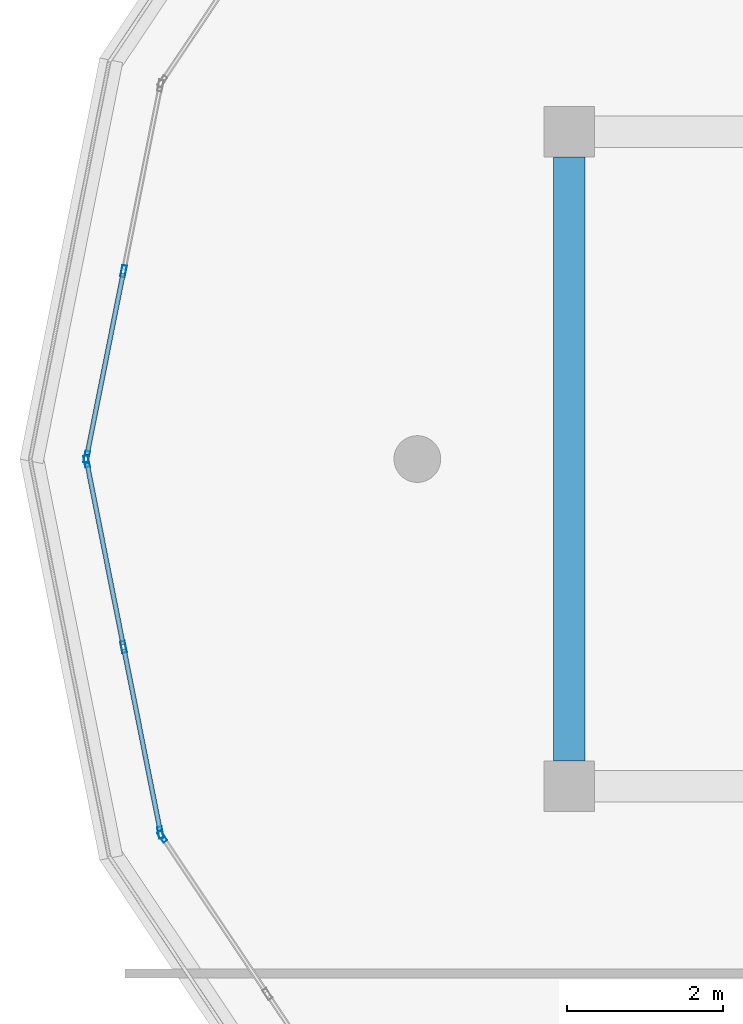
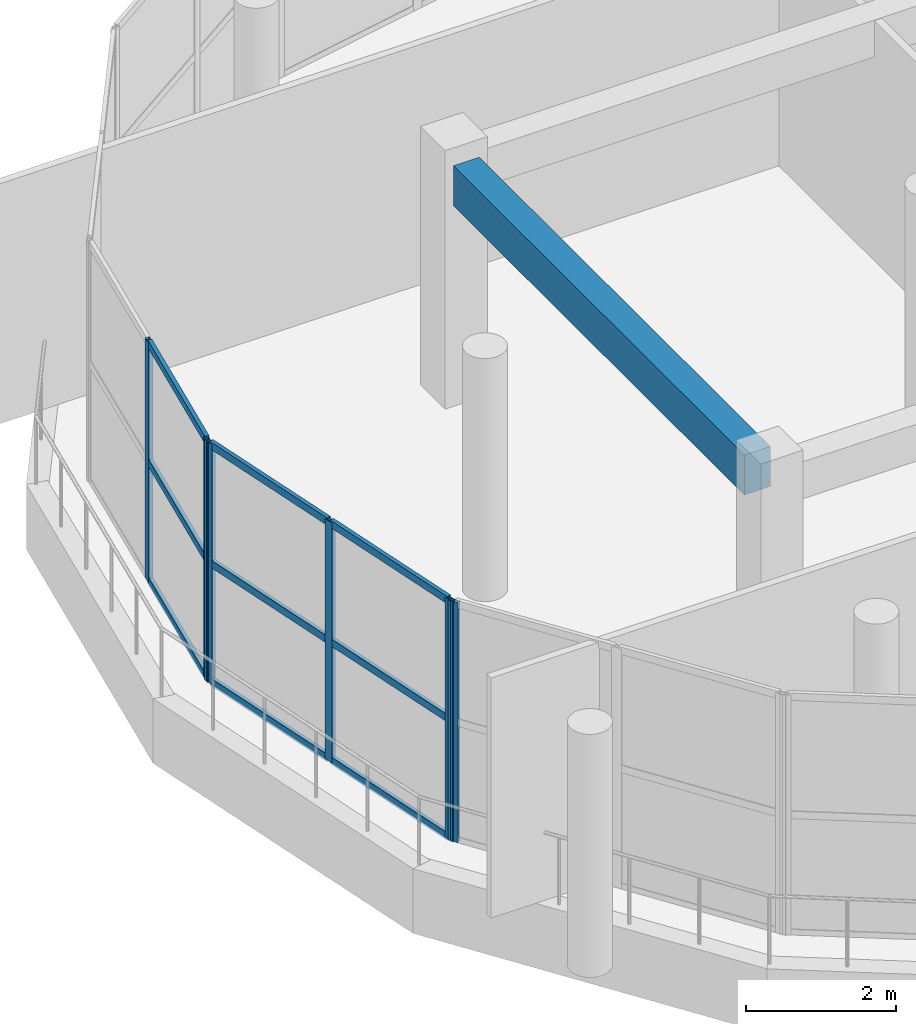
# One storey, part 4 of 57: 15 members, 1 beam, 3 elements without a shape of their own.
"""IFC4 building model written with IfcOpenShell, lengths in metres."""

from ifc_helpers import new_model, si_unit, direction, frame, origin, origin_2d, place, context, subcontext, project, spatial, rectangle, hollow_rectangle, extrude, material, layer, layer_set, material_profile, profile_set, type_object, element, aggregate, save


model = new_model("IFC4")

# Units and contexts
model_context = context("Model", 3, precision=1e-05, world=origin(), true_north=direction((0.0, 1.0)))
body_context = subcontext(model_context, "Body", "Model", "MODEL_VIEW")
ifc_project = project(units=[si_unit("LENGTHUNIT", "METRE"), si_unit("AREAUNIT", "SQUARE_METRE"), si_unit("VOLUMEUNIT", "CUBIC_METRE"), si_unit("PLANEANGLEUNIT", "RADIAN"), si_unit("MASSUNIT", "GRAM", prefix="KILO")], contexts=[model_context])

# Site, building, storey
site_placement = place(None, origin())
site = spatial("IfcSite", under=ifc_project, at=site_placement, CompositionType="ELEMENT")
building_placement = place(site_placement, origin())
building = spatial("IfcBuilding", under=site, at=building_placement, Name="Zizhar Promenade General Hospital", CompositionType="ELEMENT")
storey_placement = place(building_placement, frame((0.0, 0.0, 22.199951171875)))
storey = spatial("IfcBuildingStorey", under=building, at=storey_placement, Name="L05", CompositionType="ELEMENT", Elevation=22.199951171875)

# Beam
ifc_material_1 = material(Name="Concrete C35/45", Category="concrete")
ifc_material_profile_1 = material_profile(ifc_material_1, rectangle(XDim=0.39990234375, YDim=0.64990234375, at=origin_2d()))
ifc_profile_set_1 = profile_set([ifc_material_profile_1], Name="Concrete C35/45")
beam_type = type_object("IfcBeamType", Name="BM-RC-400x650", PredefinedType="BEAM", material=ifc_profile_set_1)
beam_placement = place(storey_placement, frame((23.39990234375, 8.72509765625, 3.5849609375), z_axis=(0.0, 1.0, 0.0), x_axis=(-1.0, 0.0, 0.0)))
element("IfcBeam", 1, at=beam_placement, inside=storey, type_object=beam_type, Name="Grid Beam Y L05 (3-1)", PredefinedType="BEAM", context=body_context, shape_type="SweptSolid", body=[
    extrude(rectangle(XDim=0.39990234375, YDim=0.64990234375, at=origin_2d()), origin(), (0.0, 0.0, 1.0), 7.75),
])

# Curtain wall, members
ifc_material_2 = material(Name="Anodised aluminium 6063-T6 and low-E glass", Category="aluminium")
ifc_layer = layer(ifc_material_2, 0.159912109375)
ifc_layer_set = layer_set([ifc_layer], Name="Anodised aluminium 6063-T6 and low-E glass")
curtain_wall_type = type_object("IfcCurtainWallType", Name="CW-WARD-ARC", PredefinedType="NOTDEFINED", material=ifc_layer_set)
curtain_wall_1_placement = place(storey_placement, origin())
curtain_wall_1 = element("IfcCurtainWall", 2, at=curtain_wall_1_placement, inside=storey, type_object=curtain_wall_type, Name="Ward Semicircular End Glazing L05-13", PredefinedType="NOTDEFINED")
ifc_material_3 = material(Name="Anodised aluminium 6063-T6", Category="aluminium")
ifc_material_profile_2 = material_profile(ifc_material_3, hollow_rectangle(XDim=0.06005859375, YDim=0.14990234375, WallThickness=0.00390625, at=origin_2d()))
ifc_profile_set_2 = profile_set([ifc_material_profile_2], Name="Anodised aluminium 6063-T6")
member_type_1 = type_object("IfcMemberType", Name="CWM-ALU-150x60", PredefinedType="MULLION", material=ifc_profile_set_2)
member_1_placement = place(storey_placement, frame((17.205810546875, 12.62939453125, 0.0), z_axis=(0.0, 0.0, 1.0), x_axis=(-0.980785889615, 0.195087259275, 0.0)))
member_1 = element("IfcMember", 3, at=member_1_placement, type_object=member_type_1, Name="CW-12 mullion 1", PredefinedType="MULLION", context=body_context, shape_type="SweptSolid", body=[
    extrude(hollow_rectangle(XDim=0.06005859375, YDim=0.14990234375, WallThickness=0.00390625, at=origin_2d()), origin(), (0.0, 0.0, 1.0), 3.900146484375),
])
member_2_placement = place(storey_placement, frame((17.679443359375, 15.010986328125, 0.0), z_axis=(0.0, 0.0, 1.0), x_axis=(-0.980785889615, 0.195087259275, 0.0)))
member_2 = element("IfcMember", 4, at=member_2_placement, type_object=member_type_1, Name="CW-12 mullion 2", PredefinedType="MULLION", context=body_context, shape_type="SweptSolid", body=[
    extrude(hollow_rectangle(XDim=0.06005859375, YDim=0.14990234375, WallThickness=0.00390625, at=origin_2d()), origin(), (0.0, 0.0, 1.0), 3.900146484375),
])

curtain_wall_2_placement = place(storey_placement, origin())
curtain_wall_2 = element("IfcCurtainWall", 5, at=curtain_wall_2_placement, inside=storey, type_object=curtain_wall_type, Name="Ward Semicircular End Glazing L05-14", PredefinedType="NOTDEFINED")
member_3_placement = place(storey_placement, frame((18.1533203125, 7.8076171875, 0.0), z_axis=(0.0, 0.0, 1.0), x_axis=(-0.980785889615, -0.195087259275, 0.0)))
member_3 = element("IfcMember", 6, at=member_3_placement, type_object=member_type_1, Name="CW-12 mullion 1", PredefinedType="MULLION", context=body_context, shape_type="SweptSolid", body=[
    extrude(hollow_rectangle(XDim=0.06005859375, YDim=0.14990234375, WallThickness=0.00390625, at=origin_2d()), origin(), (0.0, 0.0, 1.0), 3.900146484375),
])
member_4_placement = place(storey_placement, frame((17.679443359375, 10.189208984375, 0.0), z_axis=(0.0, 0.0, 1.0), x_axis=(-0.980785889615, -0.195087259275, 0.0)))
member_4 = element("IfcMember", 7, at=member_4_placement, type_object=member_type_1, Name="CW-12 mullion 2", PredefinedType="MULLION", context=body_context, shape_type="SweptSolid", body=[
    extrude(hollow_rectangle(XDim=0.06005859375, YDim=0.14990234375, WallThickness=0.00390625, at=origin_2d()), origin(), (0.0, 0.0, 1.0), 3.900146484375),
])
member_5_placement = place(storey_placement, frame((17.205810546875, 12.570556640625, 0.0), z_axis=(0.0, 0.0, 1.0), x_axis=(-0.980785889615, -0.195087259275, 0.0)))
member_5 = element("IfcMember", 8, at=member_5_placement, type_object=member_type_1, Name="CW-12 mullion 3", PredefinedType="MULLION", context=body_context, shape_type="SweptSolid", body=[
    extrude(hollow_rectangle(XDim=0.06005859375, YDim=0.14990234375, WallThickness=0.00390625, at=origin_2d()), origin(), (0.0, 0.0, 1.0), 3.900146484375),
])

# Curtain wall, member
curtain_wall_3_placement = place(storey_placement, origin())
curtain_wall_3 = element("IfcCurtainWall", 9, at=curtain_wall_3_placement, inside=storey, type_object=curtain_wall_type, Name="Ward Semicircular End Glazing L05-15", PredefinedType="NOTDEFINED")
member_6_placement = place(storey_placement, frame((18.17578125, 7.753173828125, 0.0), z_axis=(0.0, 0.0, 1.0), x_axis=(-0.831461514468, -0.555582352095, 0.0)))
member_6 = element("IfcMember", 10, at=member_6_placement, type_object=member_type_1, Name="CW-12 mullion 3", PredefinedType="MULLION", context=body_context, shape_type="SweptSolid", body=[
    extrude(hollow_rectangle(XDim=0.06005859375, YDim=0.14990234375, WallThickness=0.00390625, at=origin_2d()), origin(), (0.0, 0.0, 1.0), 3.900146484375),
])
aggregate(curtain_wall_3, [member_6])

# Member
ifc_material_4 = material(Name="Anodised aluminium 6063-T6", Category="aluminium")
ifc_material_profile_3 = material_profile(ifc_material_4, hollow_rectangle(XDim=0.06005859375, YDim=0.1201171875, WallThickness=0.00390625, at=origin_2d()))
ifc_profile_set_3 = profile_set([ifc_material_profile_3], Name="Anodised aluminium 6063-T6")
member_type_2 = type_object("IfcMemberType", Name="CWT-ALU-120x60", PredefinedType="USERDEFINED", material=ifc_profile_set_3)
member_7_placement = place(storey_placement, frame((17.211669921875, 12.658935546875, 0.030029296875), z_axis=(0.195065195628, 0.980790278018, 0.0), x_axis=(-0.980790278018, 0.195065195628, 0.0)))
member_7 = element("IfcMember", 11, at=member_7_placement, type_object=member_type_2, Name="CW-12 transom 1.1", ObjectType="TRANSOM", PredefinedType="USERDEFINED", context=body_context, shape_type="SweptSolid", body=[
    extrude(hollow_rectangle(XDim=0.06005859375, YDim=0.1201171875, WallThickness=0.00390625, at=origin_2d()), origin(), (0.0, 0.0, 1.0), 2.367919921875),
])

member_8_placement = place(storey_placement, frame((17.211669921875, 12.658935546875, 1.949951171875), z_axis=(0.195065195628, 0.980790278018, 0.0), x_axis=(-0.980790278018, 0.195065195628, 0.0)))
member_8 = element("IfcMember", 12, at=member_8_placement, type_object=member_type_2, Name="CW-12 transom 1.2", ObjectType="TRANSOM", PredefinedType="USERDEFINED", context=body_context, shape_type="SweptSolid", body=[
    extrude(hollow_rectangle(XDim=0.06005859375, YDim=0.1201171875, WallThickness=0.00390625, at=origin_2d()), origin(), (0.0, 0.0, 1.0), 2.367919921875),
])

member_9_placement = place(storey_placement, frame((17.211669921875, 12.658935546875, 3.8701171875), z_axis=(0.195065195628, 0.980790278018, 0.0), x_axis=(-0.980790278018, 0.195065195628, 0.0)))
member_9 = element("IfcMember", 13, at=member_9_placement, type_object=member_type_2, Name="CW-12 transom 1.3", ObjectType="TRANSOM", PredefinedType="USERDEFINED", context=body_context, shape_type="SweptSolid", body=[
    extrude(hollow_rectangle(XDim=0.06005859375, YDim=0.1201171875, WallThickness=0.00390625, at=origin_2d()), origin(), (0.0, 0.0, 1.0), 2.367919921875),
])

aggregate(curtain_wall_1, [member_1, member_2, member_7, member_8, member_9])

member_10_placement = place(storey_placement, frame((18.1474609375, 7.837158203125, 0.030029296875), z_axis=(-0.195164369634, 0.98077054851, 0.0), x_axis=(-0.98077054851, -0.195164369634, 0.0)))
member_10 = element("IfcMember", 14, at=member_10_placement, type_object=member_type_2, Name="CW-12 transom 1.1", ObjectType="TRANSOM", PredefinedType="USERDEFINED", context=body_context, shape_type="SweptSolid", body=[
    extrude(hollow_rectangle(XDim=0.06005859375, YDim=0.1201171875, WallThickness=0.00390625, at=origin_2d()), origin(), (0.0, 0.0, 1.0), 2.3681640625),
])

member_11_placement = place(storey_placement, frame((18.1474609375, 7.837158203125, 1.949951171875), z_axis=(-0.195164369634, 0.98077054851, 0.0), x_axis=(-0.98077054851, -0.195164369634, 0.0)))
member_11 = element("IfcMember", 15, at=member_11_placement, type_object=member_type_2, Name="CW-12 transom 1.2", ObjectType="TRANSOM", PredefinedType="USERDEFINED", context=body_context, shape_type="SweptSolid", body=[
    extrude(hollow_rectangle(XDim=0.06005859375, YDim=0.1201171875, WallThickness=0.00390625, at=origin_2d()), origin(), (0.0, 0.0, 1.0), 2.3681640625),
])

member_12_placement = place(storey_placement, frame((18.1474609375, 7.837158203125, 3.8701171875), z_axis=(-0.195164369634, 0.98077054851, 0.0), x_axis=(-0.98077054851, -0.195164369634, 0.0)))
member_12 = element("IfcMember", 16, at=member_12_placement, type_object=member_type_2, Name="CW-12 transom 1.3", ObjectType="TRANSOM", PredefinedType="USERDEFINED", context=body_context, shape_type="SweptSolid", body=[
    extrude(hollow_rectangle(XDim=0.06005859375, YDim=0.1201171875, WallThickness=0.00390625, at=origin_2d()), origin(), (0.0, 0.0, 1.0), 2.3681640625),
])

member_13_placement = place(storey_placement, frame((17.673583984375, 10.218505859375, 0.030029296875), z_axis=(-0.195045472693, 0.980794200422, 0.0), x_axis=(-0.980794200422, -0.195045472693, 0.0)))
member_13 = element("IfcMember", 17, at=member_13_placement, type_object=member_type_2, Name="CW-12 transom 2.1", ObjectType="TRANSOM", PredefinedType="USERDEFINED", context=body_context, shape_type="SweptSolid", body=[
    extrude(hollow_rectangle(XDim=0.06005859375, YDim=0.1201171875, WallThickness=0.00390625, at=origin_2d()), origin(), (0.0, 0.0, 1.0), 2.3681640625),
])

member_14_placement = place(storey_placement, frame((17.673583984375, 10.218505859375, 1.949951171875), z_axis=(-0.195045472693, 0.980794200422, 0.0), x_axis=(-0.980794200422, -0.195045472693, 0.0)))
member_14 = element("IfcMember", 18, at=member_14_placement, type_object=member_type_2, Name="CW-12 transom 2.2", ObjectType="TRANSOM", PredefinedType="USERDEFINED", context=body_context, shape_type="SweptSolid", body=[
    extrude(hollow_rectangle(XDim=0.06005859375, YDim=0.1201171875, WallThickness=0.00390625, at=origin_2d()), origin(), (0.0, 0.0, 1.0), 2.3681640625),
])

member_15_placement = place(storey_placement, frame((17.673583984375, 10.218505859375, 3.8701171875), z_axis=(-0.195045472693, 0.980794200422, 0.0), x_axis=(-0.980794200422, -0.195045472693, 0.0)))
member_15 = element("IfcMember", 19, at=member_15_placement, type_object=member_type_2, Name="CW-12 transom 2.3", ObjectType="TRANSOM", PredefinedType="USERDEFINED", context=body_context, shape_type="SweptSolid", body=[
    extrude(hollow_rectangle(XDim=0.06005859375, YDim=0.1201171875, WallThickness=0.00390625, at=origin_2d()), origin(), (0.0, 0.0, 1.0), 2.3681640625),
])

aggregate(curtain_wall_2, [member_3, member_4, member_5, member_10, member_11, member_12, member_13, member_14, member_15])

save(model, "model.ifc")
